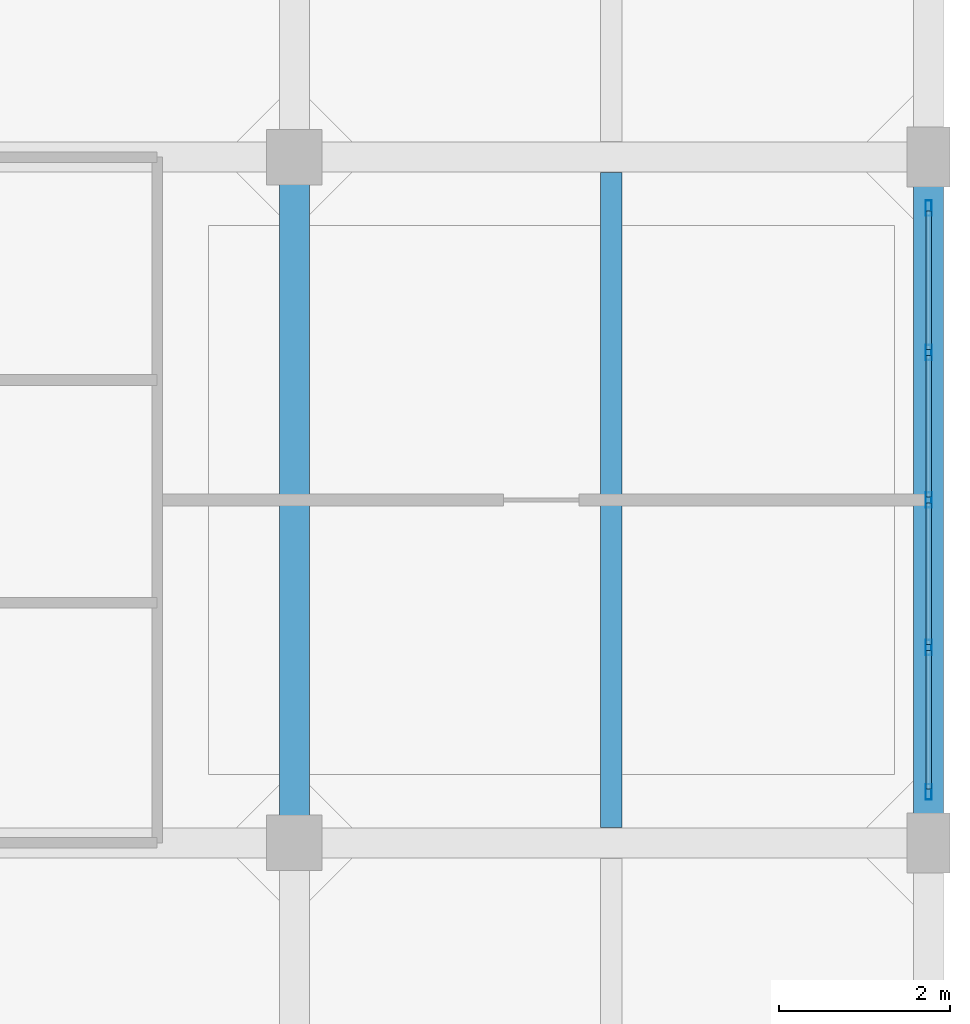
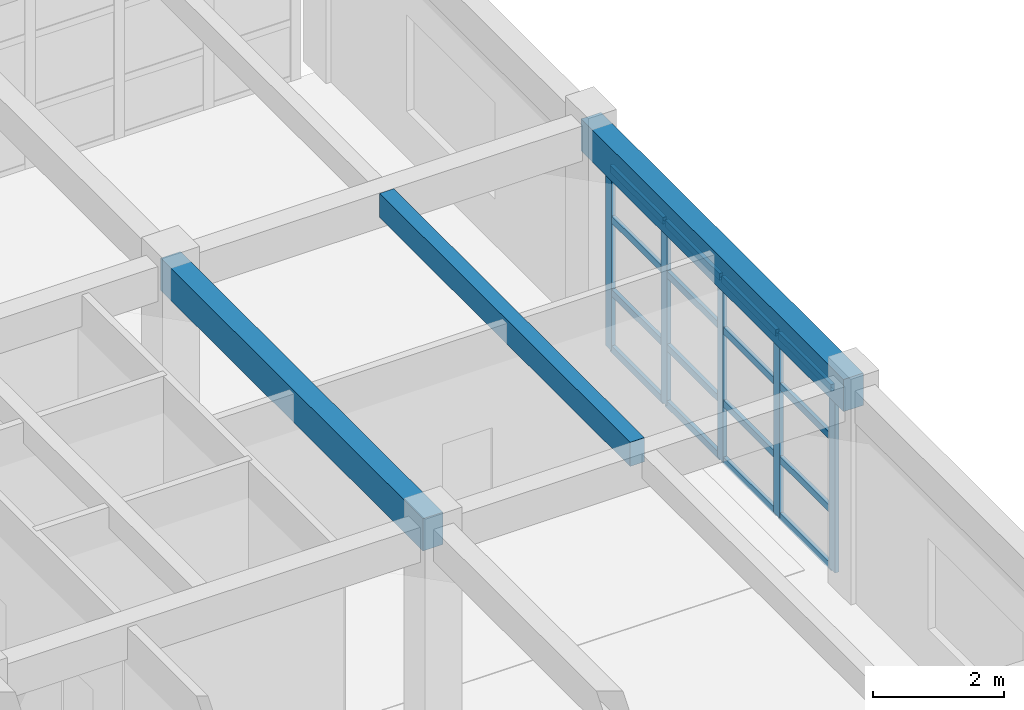
# One storey, part 9 of 18: 21 members, 3 beams, 1 element without a shape of its own.
"""IFC4 building model written with IfcOpenShell, lengths in metres."""

from ifc_helpers import new_model, si_unit, direction, frame, origin, origin_2d, place, context, subcontext, project, spatial, rectangle, hollow_rectangle, extrude, material, layer, layer_set, material_profile, profile_set, type_object, element, aggregate, save


model = new_model("IFC4")

# Units and contexts
model_context = context("Model", 3, precision=1e-05, world=origin(), true_north=direction((0.0, 1.0)))
body_context = subcontext(model_context, "Body", "Model", "MODEL_VIEW")
ifc_project = project(units=[si_unit("LENGTHUNIT", "METRE"), si_unit("AREAUNIT", "SQUARE_METRE"), si_unit("VOLUMEUNIT", "CUBIC_METRE"), si_unit("PLANEANGLEUNIT", "RADIAN"), si_unit("MASSUNIT", "GRAM", prefix="KILO")], contexts=[model_context])

# Site, building, storey
site_placement = place(None, origin())
site = spatial("IfcSite", under=ifc_project, at=site_placement, CompositionType="ELEMENT")
building_placement = place(site_placement, origin())
building = spatial("IfcBuilding", under=site, at=building_placement, Name="Canggui Botanical Conservatory", CompositionType="ELEMENT")
storey_placement = place(building_placement, frame((0.0, 0.0, 52.800048828125)))
storey = spatial("IfcBuildingStorey", under=building, at=storey_placement, Name="L13", CompositionType="ELEMENT", Elevation=52.800048828125)

# Beams
ifc_material_1 = material(Name="Concrete C35", Category="concrete")
ifc_material_profile_1 = material_profile(ifc_material_1, rectangle(XDim=0.25, YDim=0.449951171875, at=origin_2d()), Name="RB 250x450")
ifc_profile_set_1 = profile_set([ifc_material_profile_1], Name="Concrete C35")
beam_type_1 = type_object("IfcBeamType", Name="BM-JST05", PredefinedType="JOIST", material=ifc_profile_set_1)
beam_placement = place(storey_placement, frame((173.699951171875, 50.179931640625, 3.73486328125), z_axis=(0.0, 1.0, 0.0), x_axis=(-1.0, 0.0, 0.0)))
element("IfcBeam", 1, at=beam_placement, inside=storey, type_object=beam_type_1, Name="Secondary Floor Joist L13-4-2", PredefinedType="JOIST", context=body_context, shape_type="SweptSolid", body=[
    extrude(rectangle(XDim=0.25, YDim=0.449951171875, at=origin_2d()), origin(), (0.0, 0.0, 1.0), 7.64013671875),
])
ifc_material_profile_2 = material_profile(ifc_material_1, rectangle(XDim=0.35009765625, YDim=0.60009765625, at=origin_2d()), Name="RB 350x600")
ifc_profile_set_2 = profile_set([ifc_material_profile_2], Name="Concrete C35")
beam_type_2 = type_object("IfcBeamType", Name="BM-KL19", PredefinedType="BEAM", material=ifc_profile_set_2)
for number, where, z_axis, x_axis, name in (
    (2, (170.0, 50.0, 3.659912109375), (0.0, 1.0, 0.0), (-1.0, 0.0, 0.0), "Frame Girder L13 X170-2"),
    (3, (177.39990234375, 50.0, 3.659912109375), (0.0, 1.0, 0.0), (-1.0, 0.0, 0.0), "Frame Girder L13 X178-2"),
):
    element("IfcBeam", number, at=place(storey_placement, frame(where, z_axis=z_axis, x_axis=x_axis)), inside=storey, type_object=beam_type_2, Name=name, PredefinedType="BEAM", context=body_context, shape_type="SweptSolid", body=[
        extrude(rectangle(XDim=0.35009765625, YDim=0.60009765625, at=origin_2d()), origin(), (0.0, 0.0, 1.0), 8.0),
    ])

# Curtain wall, members
ifc_material_2 = material(Name="Thermally Broken Aluminium", Category="aluminium")
ifc_layer = layer(ifc_material_2, 0.179931640625, Name="Thermally Broken Aluminium", Category="aluminium")
ifc_layer_set = layer_set([ifc_layer], Name="Thermally Broken Aluminium")
curtain_wall_type = type_object("IfcCurtainWallType", Name="CW-UNIT-A", PredefinedType="USERDEFINED", material=ifc_layer_set)
curtain_wall_placement = place(storey_placement, origin())
curtain_wall = element("IfcCurtainWall", 4, at=curtain_wall_placement, inside=storey, type_object=curtain_wall_type, Name="Facade Curtain Wall CW-TWR-L13-13", ObjectType="UNITISED CURTAIN WALL", PredefinedType="USERDEFINED")
ifc_material_profile_3 = material_profile(ifc_material_2, hollow_rectangle(XDim=0.070068359375, YDim=0.179931640625, WallThickness=0.00390625, at=origin_2d()), Name="CWM 70x180x4")
ifc_profile_set_3 = profile_set([ifc_material_profile_3], Name="Thermally Broken Aluminium")
member_type_1 = type_object("IfcMemberType", Name="CWM-01", PredefinedType="MULLION", material=ifc_profile_set_3)
member_1_placement = place(storey_placement, frame((177.39990234375, 57.405029296875, 0.0), z_axis=(0.0, 0.0, 1.0), x_axis=(1.0, 0.0, 0.0)))
member_1 = element("IfcMember", 5, at=member_1_placement, type_object=member_type_1, Name="CW-01 mullion 1", PredefinedType="MULLION", context=body_context, shape_type="SweptSolid", body=[
    extrude(hollow_rectangle(XDim=0.070068359375, YDim=0.179931640625, WallThickness=0.00390625, at=origin_2d()), origin(), (0.0, 0.0, 1.0), 3.39990234375),
])
member_2_placement = place(storey_placement, frame((177.39990234375, 55.719970703125, 0.0), z_axis=(0.0, 0.0, 1.0), x_axis=(1.0, 0.0, 0.0)))
member_2 = element("IfcMember", 6, at=member_2_placement, type_object=member_type_1, Name="CW-01 mullion 2", PredefinedType="MULLION", context=body_context, shape_type="SweptSolid", body=[
    extrude(hollow_rectangle(XDim=0.070068359375, YDim=0.179931640625, WallThickness=0.00390625, at=origin_2d()), origin(), (0.0, 0.0, 1.0), 3.39990234375),
])
member_3_placement = place(storey_placement, frame((177.39990234375, 54.0, 0.0), z_axis=(0.0, 0.0, 1.0), x_axis=(1.0, 0.0, 0.0)))
member_3 = element("IfcMember", 7, at=member_3_placement, type_object=member_type_1, Name="CW-01 mullion 3", PredefinedType="MULLION", context=body_context, shape_type="SweptSolid", body=[
    extrude(hollow_rectangle(XDim=0.070068359375, YDim=0.179931640625, WallThickness=0.00390625, at=origin_2d()), origin(), (0.0, 0.0, 1.0), 3.39990234375),
])
member_4_placement = place(storey_placement, frame((177.39990234375, 52.280029296875, 0.0), z_axis=(0.0, 0.0, 1.0), x_axis=(1.0, 0.0, 0.0)))
member_4 = element("IfcMember", 8, at=member_4_placement, type_object=member_type_1, Name="CW-01 mullion 4", PredefinedType="MULLION", context=body_context, shape_type="SweptSolid", body=[
    extrude(hollow_rectangle(XDim=0.070068359375, YDim=0.179931640625, WallThickness=0.00390625, at=origin_2d()), origin(), (0.0, 0.0, 1.0), 3.39990234375),
])
member_5_placement = place(storey_placement, frame((177.39990234375, 50.594970703125, 0.0), z_axis=(0.0, 0.0, 1.0), x_axis=(1.0, 0.0, 0.0)))
member_5 = element("IfcMember", 9, at=member_5_placement, type_object=member_type_1, Name="CW-01 mullion 5", PredefinedType="MULLION", context=body_context, shape_type="SweptSolid", body=[
    extrude(hollow_rectangle(XDim=0.070068359375, YDim=0.179931640625, WallThickness=0.00390625, at=origin_2d()), origin(), (0.0, 0.0, 1.0), 3.39990234375),
])
ifc_material_profile_4 = material_profile(ifc_material_2, hollow_rectangle(XDim=0.06494140625, YDim=0.1298828125, WallThickness=0.00341796875, at=origin_2d()), Name="CWT 65x130x3.5")
ifc_profile_set_4 = profile_set([ifc_material_profile_4], Name="Thermally Broken Aluminium")
member_type_2 = type_object("IfcMemberType", Name="CWT-01", PredefinedType="USERDEFINED", material=ifc_profile_set_4)
member_6_placement = place(storey_placement, frame((177.39990234375, 57.3701171875, 0.032470703125), z_axis=(0.0, -1.0, 0.0), x_axis=(1.0, 0.0, 0.0)))
member_6 = element("IfcMember", 10, at=member_6_placement, type_object=member_type_2, Name="CW-01 transom 1.1", ObjectType="TRANSOM", PredefinedType="USERDEFINED", context=body_context, shape_type="SweptSolid", body=[
    extrude(hollow_rectangle(XDim=0.06494140625, YDim=0.1298828125, WallThickness=0.00341796875, at=origin_2d()), origin(), (0.0, 0.0, 1.0), 1.615234375),
])
member_7_placement = place(storey_placement, frame((177.39990234375, 57.3701171875, 1.087890625), z_axis=(0.0, -1.0, 0.0), x_axis=(1.0, 0.0, 0.0)))
member_7 = element("IfcMember", 11, at=member_7_placement, type_object=member_type_2, Name="CW-01 transom 1.2", ObjectType="TRANSOM", PredefinedType="USERDEFINED", context=body_context, shape_type="SweptSolid", body=[
    extrude(hollow_rectangle(XDim=0.06494140625, YDim=0.1298828125, WallThickness=0.00341796875, at=origin_2d()), origin(), (0.0, 0.0, 1.0), 1.615234375),
])
member_8_placement = place(storey_placement, frame((177.39990234375, 57.3701171875, 2.447998046875), z_axis=(0.0, -1.0, 0.0), x_axis=(1.0, 0.0, 0.0)))
member_8 = element("IfcMember", 12, at=member_8_placement, type_object=member_type_2, Name="CW-01 transom 1.3", ObjectType="TRANSOM", PredefinedType="USERDEFINED", context=body_context, shape_type="SweptSolid", body=[
    extrude(hollow_rectangle(XDim=0.06494140625, YDim=0.1298828125, WallThickness=0.00341796875, at=origin_2d()), origin(), (0.0, 0.0, 1.0), 1.615234375),
])
member_9_placement = place(storey_placement, frame((177.39990234375, 57.3701171875, 3.367431640625), z_axis=(0.0, -1.0, 0.0), x_axis=(1.0, 0.0, 0.0)))
member_9 = element("IfcMember", 13, at=member_9_placement, type_object=member_type_2, Name="CW-01 transom 1.4", ObjectType="TRANSOM", PredefinedType="USERDEFINED", context=body_context, shape_type="SweptSolid", body=[
    extrude(hollow_rectangle(XDim=0.06494140625, YDim=0.1298828125, WallThickness=0.00341796875, at=origin_2d()), origin(), (0.0, 0.0, 1.0), 1.615234375),
])
member_10_placement = place(storey_placement, frame((177.39990234375, 55.68505859375, 0.032470703125), z_axis=(0.0, -1.0, 0.0), x_axis=(1.0, 0.0, 0.0)))
member_10 = element("IfcMember", 14, at=member_10_placement, type_object=member_type_2, Name="CW-01 transom 2.1", ObjectType="TRANSOM", PredefinedType="USERDEFINED", context=body_context, shape_type="SweptSolid", body=[
    extrude(hollow_rectangle(XDim=0.06494140625, YDim=0.1298828125, WallThickness=0.00341796875, at=origin_2d()), origin(), (0.0, 0.0, 1.0), 1.650146484375),
])
member_11_placement = place(storey_placement, frame((177.39990234375, 55.68505859375, 1.087890625), z_axis=(0.0, -1.0, 0.0), x_axis=(1.0, 0.0, 0.0)))
member_11 = element("IfcMember", 15, at=member_11_placement, type_object=member_type_2, Name="CW-01 transom 2.2", ObjectType="TRANSOM", PredefinedType="USERDEFINED", context=body_context, shape_type="SweptSolid", body=[
    extrude(hollow_rectangle(XDim=0.06494140625, YDim=0.1298828125, WallThickness=0.00341796875, at=origin_2d()), origin(), (0.0, 0.0, 1.0), 1.650146484375),
])
member_12_placement = place(storey_placement, frame((177.39990234375, 55.68505859375, 2.447998046875), z_axis=(0.0, -1.0, 0.0), x_axis=(1.0, 0.0, 0.0)))
member_12 = element("IfcMember", 16, at=member_12_placement, type_object=member_type_2, Name="CW-01 transom 2.3", ObjectType="TRANSOM", PredefinedType="USERDEFINED", context=body_context, shape_type="SweptSolid", body=[
    extrude(hollow_rectangle(XDim=0.06494140625, YDim=0.1298828125, WallThickness=0.00341796875, at=origin_2d()), origin(), (0.0, 0.0, 1.0), 1.650146484375),
])
member_13_placement = place(storey_placement, frame((177.39990234375, 55.68505859375, 3.367431640625), z_axis=(0.0, -1.0, 0.0), x_axis=(1.0, 0.0, 0.0)))
member_13 = element("IfcMember", 17, at=member_13_placement, type_object=member_type_2, Name="CW-01 transom 2.4", ObjectType="TRANSOM", PredefinedType="USERDEFINED", context=body_context, shape_type="SweptSolid", body=[
    extrude(hollow_rectangle(XDim=0.06494140625, YDim=0.1298828125, WallThickness=0.00341796875, at=origin_2d()), origin(), (0.0, 0.0, 1.0), 1.650146484375),
])
member_14_placement = place(storey_placement, frame((177.39990234375, 53.965087890625, 0.032470703125), z_axis=(0.0, -1.0, 0.0), x_axis=(1.0, 0.0, 0.0)))
member_14 = element("IfcMember", 18, at=member_14_placement, type_object=member_type_2, Name="CW-01 transom 3.1", ObjectType="TRANSOM", PredefinedType="USERDEFINED", context=body_context, shape_type="SweptSolid", body=[
    extrude(hollow_rectangle(XDim=0.06494140625, YDim=0.1298828125, WallThickness=0.00341796875, at=origin_2d()), origin(), (0.0, 0.0, 1.0), 1.650146484375),
])
member_15_placement = place(storey_placement, frame((177.39990234375, 53.965087890625, 1.087890625), z_axis=(0.0, -1.0, 0.0), x_axis=(1.0, 0.0, 0.0)))
member_15 = element("IfcMember", 19, at=member_15_placement, type_object=member_type_2, Name="CW-01 transom 3.2", ObjectType="TRANSOM", PredefinedType="USERDEFINED", context=body_context, shape_type="SweptSolid", body=[
    extrude(hollow_rectangle(XDim=0.06494140625, YDim=0.1298828125, WallThickness=0.00341796875, at=origin_2d()), origin(), (0.0, 0.0, 1.0), 1.650146484375),
])
member_16_placement = place(storey_placement, frame((177.39990234375, 53.965087890625, 2.447998046875), z_axis=(0.0, -1.0, 0.0), x_axis=(1.0, 0.0, 0.0)))
member_16 = element("IfcMember", 20, at=member_16_placement, type_object=member_type_2, Name="CW-01 transom 3.3", ObjectType="TRANSOM", PredefinedType="USERDEFINED", context=body_context, shape_type="SweptSolid", body=[
    extrude(hollow_rectangle(XDim=0.06494140625, YDim=0.1298828125, WallThickness=0.00341796875, at=origin_2d()), origin(), (0.0, 0.0, 1.0), 1.650146484375),
])
member_17_placement = place(storey_placement, frame((177.39990234375, 53.965087890625, 3.367431640625), z_axis=(0.0, -1.0, 0.0), x_axis=(1.0, 0.0, 0.0)))
member_17 = element("IfcMember", 21, at=member_17_placement, type_object=member_type_2, Name="CW-01 transom 3.4", ObjectType="TRANSOM", PredefinedType="USERDEFINED", context=body_context, shape_type="SweptSolid", body=[
    extrude(hollow_rectangle(XDim=0.06494140625, YDim=0.1298828125, WallThickness=0.00341796875, at=origin_2d()), origin(), (0.0, 0.0, 1.0), 1.650146484375),
])
member_18_placement = place(storey_placement, frame((177.39990234375, 52.2451171875, 0.032470703125), z_axis=(0.0, -1.0, 0.0), x_axis=(1.0, 0.0, 0.0)))
member_18 = element("IfcMember", 22, at=member_18_placement, type_object=member_type_2, Name="CW-01 transom 4.1", ObjectType="TRANSOM", PredefinedType="USERDEFINED", context=body_context, shape_type="SweptSolid", body=[
    extrude(hollow_rectangle(XDim=0.06494140625, YDim=0.1298828125, WallThickness=0.00341796875, at=origin_2d()), origin(), (0.0, 0.0, 1.0), 1.615234375),
])
member_19_placement = place(storey_placement, frame((177.39990234375, 52.2451171875, 1.087890625), z_axis=(0.0, -1.0, 0.0), x_axis=(1.0, 0.0, 0.0)))
member_19 = element("IfcMember", 23, at=member_19_placement, type_object=member_type_2, Name="CW-01 transom 4.2", ObjectType="TRANSOM", PredefinedType="USERDEFINED", context=body_context, shape_type="SweptSolid", body=[
    extrude(hollow_rectangle(XDim=0.06494140625, YDim=0.1298828125, WallThickness=0.00341796875, at=origin_2d()), origin(), (0.0, 0.0, 1.0), 1.615234375),
])
member_20_placement = place(storey_placement, frame((177.39990234375, 52.2451171875, 2.447998046875), z_axis=(0.0, -1.0, 0.0), x_axis=(1.0, 0.0, 0.0)))
member_20 = element("IfcMember", 24, at=member_20_placement, type_object=member_type_2, Name="CW-01 transom 4.3", ObjectType="TRANSOM", PredefinedType="USERDEFINED", context=body_context, shape_type="SweptSolid", body=[
    extrude(hollow_rectangle(XDim=0.06494140625, YDim=0.1298828125, WallThickness=0.00341796875, at=origin_2d()), origin(), (0.0, 0.0, 1.0), 1.615234375),
])
member_21_placement = place(storey_placement, frame((177.39990234375, 52.2451171875, 3.367431640625), z_axis=(0.0, -1.0, 0.0), x_axis=(1.0, 0.0, 0.0)))
member_21 = element("IfcMember", 25, at=member_21_placement, type_object=member_type_2, Name="CW-01 transom 4.4", ObjectType="TRANSOM", PredefinedType="USERDEFINED", context=body_context, shape_type="SweptSolid", body=[
    extrude(hollow_rectangle(XDim=0.06494140625, YDim=0.1298828125, WallThickness=0.00341796875, at=origin_2d()), origin(), (0.0, 0.0, 1.0), 1.615234375),
])
aggregate(curtain_wall, [member_1, member_2, member_3, member_4, member_5, member_6, member_7, member_8, member_9, member_10, member_11, member_12, member_13, member_14, member_15, member_16, member_17, member_18, member_19, member_20, member_21])

save(model, "model.ifc")
